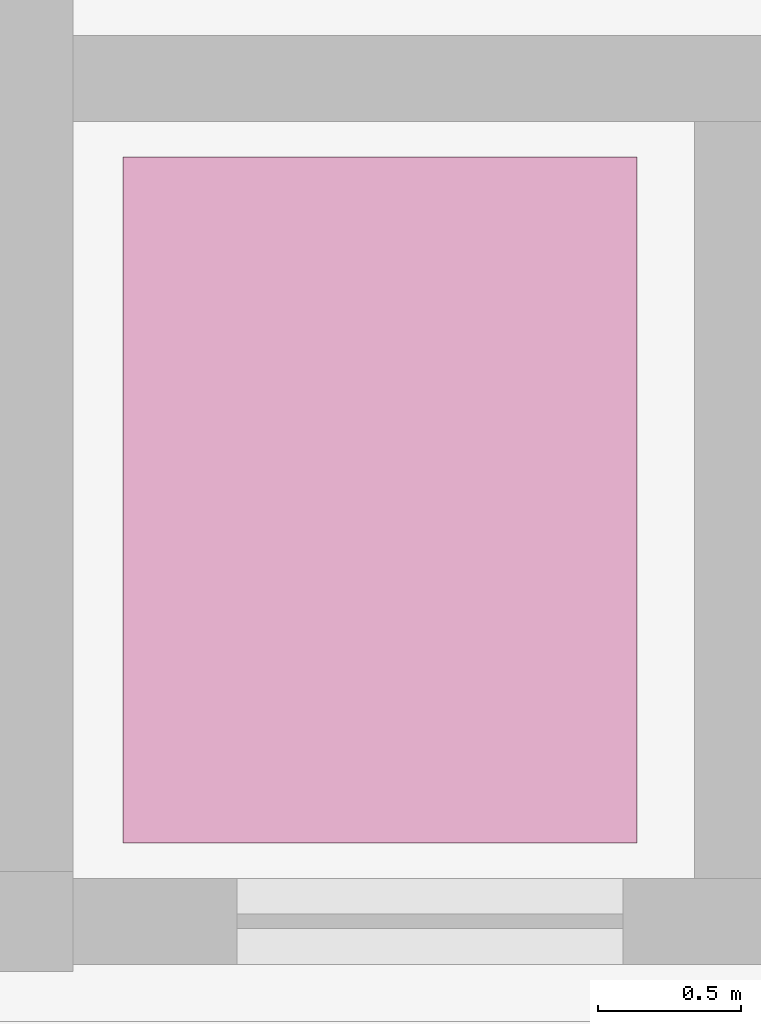
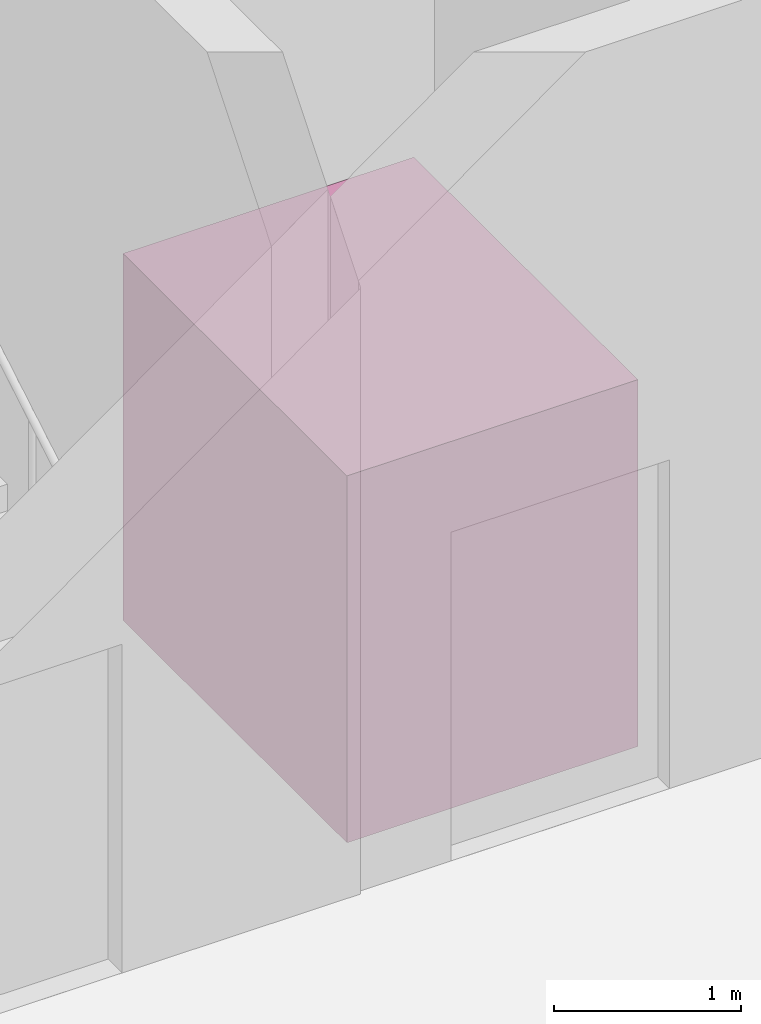
# One storey, part 109 of 109: 1 transport element.
"""IFC4 building model written with IfcOpenShell, lengths in metres."""

from ifc_helpers import new_model, si_unit, direction, frame, origin, origin_2d, place, context, subcontext, project, spatial, rectangle, extrude, material, type_object, element, save


model = new_model("IFC4")

# Units and contexts
model_context = context("Model", 3, precision=1e-05, world=origin(), true_north=direction((0.0, 1.0)))
body_context = subcontext(model_context, "Body", "Model", "MODEL_VIEW")
ifc_project = project(units=[si_unit("LENGTHUNIT", "METRE"), si_unit("AREAUNIT", "SQUARE_METRE"), si_unit("VOLUMEUNIT", "CUBIC_METRE"), si_unit("PLANEANGLEUNIT", "RADIAN"), si_unit("MASSUNIT", "GRAM", prefix="KILO")], contexts=[model_context])

# Site, building, storey
site_placement = place(None, origin())
site = spatial("IfcSite", under=ifc_project, at=site_placement, CompositionType="ELEMENT")
building_placement = place(site_placement, origin())
building = spatial("IfcBuilding", under=site, at=building_placement, Name="Nordkorset Police Headquarters", CompositionType="ELEMENT")
storey_placement = place(building_placement, origin())
storey = spatial("IfcBuildingStorey", under=building, at=storey_placement, Name="L00", CompositionType="ELEMENT", Elevation=0.0)

# Transport element
ifc_material = material(Name="Steel S355J2", Category="steel")
transport_element_type = type_object("IfcTransportElementType", Name="Lift_Goods_2500kg", PredefinedType="ELEVATOR", material=ifc_material)
transport_element_placement = place(storey_placement, frame((132.0, 10.27490234375, 0.0), z_axis=(0.0, 0.0, 1.0), x_axis=(1.0, 0.0, 0.0)))
element("IfcTransportElement", 1, at=transport_element_placement, inside=storey, type_object=transport_element_type, Name="Custody Escort Lift LF-08", PredefinedType="ELEVATOR", context=body_context, shape_type="SweptSolid", body=[
    extrude(rectangle(XDim=1.800048828125, YDim=2.39990234375, at=origin_2d()), origin(), (0.0, 0.0, 1.0), 2.39990234375),
])

save(model, "model.ifc")
